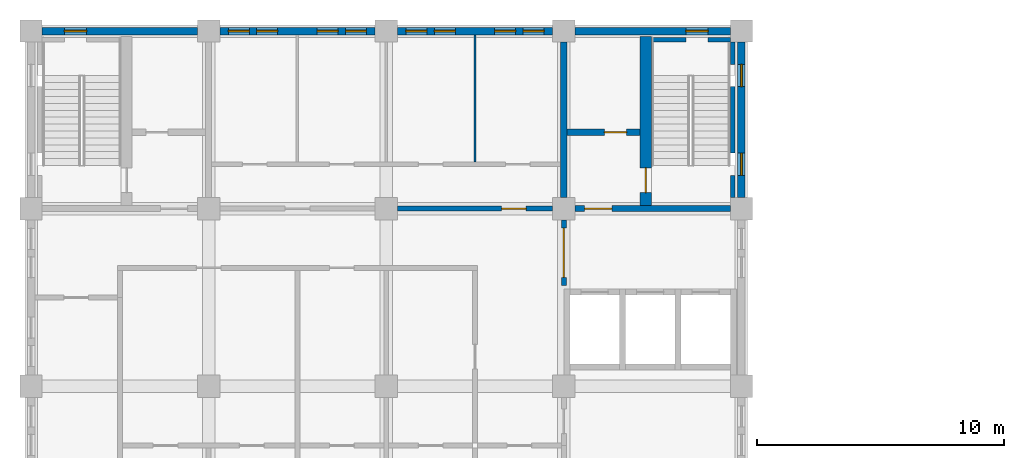
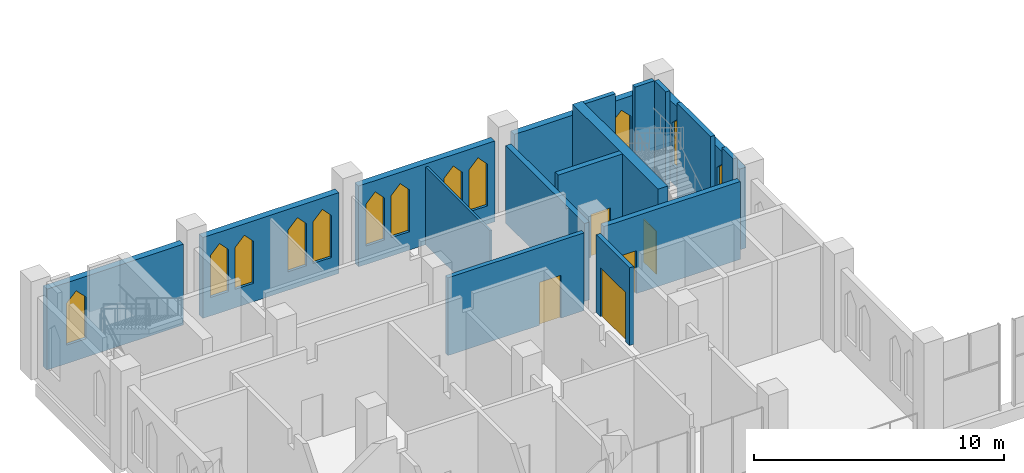
# One storey, part 32 of 39: 17 walls, 12 windows, 5 doors, 17 openings.
"""IFC4 building model written with IfcOpenShell, lengths in metres."""

from ifc_helpers import new_model, si_unit, direction, frame, frame_2d, origin, place, context, subcontext, project, spatial, polyline, rectangle, outline, extrude, material, layer, layer_set, type_object, element, fill, save


model = new_model("IFC4")

# Units and contexts
model_context = context("Model", 3, precision=1e-05, world=origin(), true_north=direction((0.0, 1.0)))
body_context = subcontext(model_context, "Body", "Model", "MODEL_VIEW")
ifc_project = project(units=[si_unit("LENGTHUNIT", "METRE"), si_unit("AREAUNIT", "SQUARE_METRE"), si_unit("VOLUMEUNIT", "CUBIC_METRE"), si_unit("PLANEANGLEUNIT", "RADIAN"), si_unit("MASSUNIT", "GRAM", prefix="KILO")], contexts=[model_context])

# Site, building, storey
site_placement = place(None, origin())
site = spatial("IfcSite", under=ifc_project, at=site_placement, CompositionType="ELEMENT")
building_placement = place(site_placement, origin())
building = spatial("IfcBuilding", under=site, at=building_placement, Name="Silangan Lancet Faculty of Sciences", CompositionType="ELEMENT")
storey_placement = place(building_placement, frame((0.0, 0.0, 26.39990234375)))
storey = spatial("IfcBuildingStorey", under=building, at=storey_placement, Name="L05", CompositionType="ELEMENT", Elevation=26.39990234375)

# Wall, openings, windows
ifc_material_1 = material(Name="Concrete C40/50 precast", Category="concrete")
ifc_layer_1 = layer(ifc_material_1, 0.300048828125)
ifc_layer_set_1 = layer_set([ifc_layer_1], Name="Concrete C40/50 precast")
wall_type_1 = type_object("IfcWallType", Name="EW1 Precast cladding wall", PredefinedType="STANDARD", material=ifc_layer_set_1)
wall_1_placement = place(storey_placement, frame((21.14990234375, 57.60009765625, 0.0), z_axis=(0.0, 0.0, 1.0), x_axis=(-1.0, 0.0, 0.0)))
wall_1 = element("IfcWall", 1, at=wall_1_placement, inside=storey, type_object=wall_type_1, Name="EW-L05-N-NT-01", PredefinedType="STANDARD", context=body_context, shape_type="SweptSolid", body=[
    extrude(rectangle(XDim=6.2998046875, YDim=0.300048828125, at=frame_2d((3.14990234375, 0.0))), origin(), (0.0, 0.0, 1.0), 3.9501953125),
])
opening_1_placement = place(wall_1_placement, frame((0.35009765625, 0.0, 0.89990234375)))
opening_1 = element("IfcOpeningElement", 2, at=opening_1_placement, cuts=wall_1, Name="Opening W14", PredefinedType="OPENING", context=body_context, shape_type="SweptSolid", body=[
    extrude(outline(polyline([(0.0, 0.0), (0.85009765625, 0.0), (0.85009765625, 2.050048828125), (0.425048828125, 2.5), (0.0, 2.050048828125), (0.0, 0.0)])), frame((0.0, 0.159912109375, 0.0), z_axis=(0.0, -1.0, 0.0), x_axis=(1.0, 0.0, 0.0)), (0.0, 0.0, 1.0), 0.320068359375),
])
opening_2_placement = place(wall_1_placement, frame((1.5, 0.0, 0.89990234375)))
opening_2 = element("IfcOpeningElement", 3, at=opening_2_placement, cuts=wall_1, Name="Opening W14", PredefinedType="OPENING", context=body_context, shape_type="SweptSolid", body=[
    extrude(outline(polyline([(0.0, 0.0), (0.85009765625, 0.0), (0.85009765625, 2.050048828125), (0.425048828125, 2.5), (0.0, 2.050048828125), (0.0, 0.0)])), frame((0.0, 0.159912109375, 0.0), z_axis=(0.0, -1.0, 0.0), x_axis=(1.0, 0.0, 0.0)), (0.0, 0.0, 1.0), 0.320068359375),
])
opening_3_placement = place(wall_1_placement, frame((3.949951171875, 0.0, 0.89990234375)))
opening_3 = element("IfcOpeningElement", 4, at=opening_3_placement, cuts=wall_1, Name="Opening W14", PredefinedType="OPENING", context=body_context, shape_type="SweptSolid", body=[
    extrude(outline(polyline([(0.0, 0.0), (0.85009765625, 0.0), (0.85009765625, 2.050048828125), (0.425048828125, 2.5), (0.0, 2.050048828125), (0.0, 0.0)])), frame((0.0, 0.159912109375, 0.0), z_axis=(0.0, -1.0, 0.0), x_axis=(1.0, 0.0, 0.0)), (0.0, 0.0, 1.0), 0.320068359375),
])
opening_4_placement = place(wall_1_placement, frame((5.10009765625, 0.0, 0.89990234375)))
opening_4 = element("IfcOpeningElement", 5, at=opening_4_placement, cuts=wall_1, Name="Opening W14", PredefinedType="OPENING", context=body_context, shape_type="SweptSolid", body=[
    extrude(outline(polyline([(0.0, 0.0), (0.85009765625, 0.0), (0.85009765625, 2.050048828125), (0.425048828125, 2.5), (0.0, 2.050048828125), (0.0, 0.0)])), frame((0.0, 0.159912109375, 0.0), z_axis=(0.0, -1.0, 0.0), x_axis=(1.0, 0.0, 0.0)), (0.0, 0.0, 1.0), 0.320068359375),
])
ifc_material_2 = material(Name="Aluminium frame, laminated double glazing", Category="aluminium")
window_type_1 = type_object("IfcWindowType", Name="W14 Lancet window 850 x 2500", PartitioningType="SINGLE_PANEL", PredefinedType="WINDOW", material=ifc_material_2)
window_1_placement = place(opening_1_placement, origin())
window_1 = element("IfcWindow", 6, at=window_1_placement, inside=storey, type_object=window_type_1, Name="WIN-L05-N-NT-01a1", OverallHeight=2.5, OverallWidth=0.85009765625, PartitioningType="SINGLE_PANEL", PredefinedType="WINDOW", context=body_context, shape_type="SweptSolid", body=[
    extrude(outline(polyline([(0.0, 0.0), (0.85009765625, 0.0), (0.85009765625, 2.050048828125), (0.425048828125, 2.5), (0.0, 2.050048828125), (0.0, 0.0)])), frame((0.0, 0.030029296875, 0.0), z_axis=(0.0, -1.0, 0.0), x_axis=(1.0, 0.0, 0.0)), (0.0, 0.0, 1.0), 0.06005859375),
])
fill(opening_1, window_1)
window_2_placement = place(opening_2_placement, origin())
window_2 = element("IfcWindow", 7, at=window_2_placement, inside=storey, type_object=window_type_1, Name="WIN-L05-N-NT-01a2", OverallHeight=2.5, OverallWidth=0.85009765625, PartitioningType="SINGLE_PANEL", PredefinedType="WINDOW", context=body_context, shape_type="SweptSolid", body=[
    extrude(outline(polyline([(0.0, 0.0), (0.85009765625, 0.0), (0.85009765625, 2.050048828125), (0.425048828125, 2.5), (0.0, 2.050048828125), (0.0, 0.0)])), frame((0.0, 0.030029296875, 0.0), z_axis=(0.0, -1.0, 0.0), x_axis=(1.0, 0.0, 0.0)), (0.0, 0.0, 1.0), 0.06005859375),
])
fill(opening_2, window_2)
window_3_placement = place(opening_3_placement, origin())
window_3 = element("IfcWindow", 8, at=window_3_placement, inside=storey, type_object=window_type_1, Name="WIN-L05-N-NT-01b1", OverallHeight=2.5, OverallWidth=0.85009765625, PartitioningType="SINGLE_PANEL", PredefinedType="WINDOW", context=body_context, shape_type="SweptSolid", body=[
    extrude(outline(polyline([(0.0, 0.0), (0.85009765625, 0.0), (0.85009765625, 2.050048828125), (0.425048828125, 2.5), (0.0, 2.050048828125), (0.0, 0.0)])), frame((0.0, 0.030029296875, 0.0), z_axis=(0.0, -1.0, 0.0), x_axis=(1.0, 0.0, 0.0)), (0.0, 0.0, 1.0), 0.06005859375),
])
fill(opening_3, window_3)
window_4_placement = place(opening_4_placement, origin())
window_4 = element("IfcWindow", 9, at=window_4_placement, inside=storey, type_object=window_type_1, Name="WIN-L05-N-NT-01b2", OverallHeight=2.5, OverallWidth=0.85009765625, PartitioningType="SINGLE_PANEL", PredefinedType="WINDOW", context=body_context, shape_type="SweptSolid", body=[
    extrude(outline(polyline([(0.0, 0.0), (0.85009765625, 0.0), (0.85009765625, 2.050048828125), (0.425048828125, 2.5), (0.0, 2.050048828125), (0.0, 0.0)])), frame((0.0, 0.030029296875, 0.0), z_axis=(0.0, -1.0, 0.0), x_axis=(1.0, 0.0, 0.0)), (0.0, 0.0, 1.0), 0.06005859375),
])
fill(opening_4, window_4)

wall_2_placement = place(storey_placement, frame((13.949951171875, 57.60009765625, 0.0), z_axis=(0.0, 0.0, 1.0), x_axis=(-1.0, 0.0, 0.0)))
wall_2 = element("IfcWall", 10, at=wall_2_placement, inside=storey, type_object=wall_type_1, Name="EW-L05-N-NT-02", PredefinedType="STANDARD", context=body_context, shape_type="SweptSolid", body=[
    extrude(rectangle(XDim=6.300048828125, YDim=0.300048828125, at=frame_2d((3.14990234375, 0.0))), origin(), (0.0, 0.0, 1.0), 3.9501953125),
])
opening_5_placement = place(wall_2_placement, frame((0.35009765625, 0.0, 0.89990234375)))
opening_5 = element("IfcOpeningElement", 11, at=opening_5_placement, cuts=wall_2, Name="Opening W14", PredefinedType="OPENING", context=body_context, shape_type="SweptSolid", body=[
    extrude(outline(polyline([(0.0, 0.0), (0.85009765625, 0.0), (0.85009765625, 2.050048828125), (0.425048828125, 2.5), (0.0, 2.050048828125), (0.0, 0.0)])), frame((0.0, 0.159912109375, 0.0), z_axis=(0.0, -1.0, 0.0), x_axis=(1.0, 0.0, 0.0)), (0.0, 0.0, 1.0), 0.320068359375),
])
opening_6_placement = place(wall_2_placement, frame((1.5, 0.0, 0.89990234375)))
opening_6 = element("IfcOpeningElement", 12, at=opening_6_placement, cuts=wall_2, Name="Opening W14", PredefinedType="OPENING", context=body_context, shape_type="SweptSolid", body=[
    extrude(outline(polyline([(0.0, 0.0), (0.85009765625, 0.0), (0.85009765625, 2.050048828125), (0.425048828125, 2.5), (0.0, 2.050048828125), (0.0, 0.0)])), frame((0.0, 0.159912109375, 0.0), z_axis=(0.0, -1.0, 0.0), x_axis=(1.0, 0.0, 0.0)), (0.0, 0.0, 1.0), 0.320068359375),
])
opening_7_placement = place(wall_2_placement, frame((3.949951171875, 0.0, 0.89990234375)))
opening_7 = element("IfcOpeningElement", 13, at=opening_7_placement, cuts=wall_2, Name="Opening W14", PredefinedType="OPENING", context=body_context, shape_type="SweptSolid", body=[
    extrude(outline(polyline([(0.0, 0.0), (0.85009765625, 0.0), (0.85009765625, 2.050048828125), (0.425048828125, 2.5), (0.0, 2.050048828125), (0.0, 0.0)])), frame((0.0, 0.159912109375, 0.0), z_axis=(0.0, -1.0, 0.0), x_axis=(1.0, 0.0, 0.0)), (0.0, 0.0, 1.0), 0.320068359375),
])
opening_8_placement = place(wall_2_placement, frame((5.10009765625, 0.0, 0.89990234375)))
opening_8 = element("IfcOpeningElement", 14, at=opening_8_placement, cuts=wall_2, Name="Opening W14", PredefinedType="OPENING", context=body_context, shape_type="SweptSolid", body=[
    extrude(outline(polyline([(0.0, 0.0), (0.85009765625, 0.0), (0.85009765625, 2.050048828125), (0.425048828125, 2.5), (0.0, 2.050048828125), (0.0, 0.0)])), frame((0.0, 0.159912109375, 0.0), z_axis=(0.0, -1.0, 0.0), x_axis=(1.0, 0.0, 0.0)), (0.0, 0.0, 1.0), 0.320068359375),
])
window_5_placement = place(opening_5_placement, origin())
window_5 = element("IfcWindow", 15, at=window_5_placement, inside=storey, type_object=window_type_1, Name="WIN-L05-N-NT-02a1", OverallHeight=2.5, OverallWidth=0.85009765625, PartitioningType="SINGLE_PANEL", PredefinedType="WINDOW", context=body_context, shape_type="SweptSolid", body=[
    extrude(outline(polyline([(0.0, 0.0), (0.85009765625, 0.0), (0.85009765625, 2.050048828125), (0.425048828125, 2.5), (0.0, 2.050048828125), (0.0, 0.0)])), frame((0.0, 0.030029296875, 0.0), z_axis=(0.0, -1.0, 0.0), x_axis=(1.0, 0.0, 0.0)), (0.0, 0.0, 1.0), 0.06005859375),
])
fill(opening_5, window_5)
window_6_placement = place(opening_6_placement, origin())
window_6 = element("IfcWindow", 16, at=window_6_placement, inside=storey, type_object=window_type_1, Name="WIN-L05-N-NT-02a2", OverallHeight=2.5, OverallWidth=0.85009765625, PartitioningType="SINGLE_PANEL", PredefinedType="WINDOW", context=body_context, shape_type="SweptSolid", body=[
    extrude(outline(polyline([(0.0, 0.0), (0.85009765625, 0.0), (0.85009765625, 2.050048828125), (0.425048828125, 2.5), (0.0, 2.050048828125), (0.0, 0.0)])), frame((0.0, 0.030029296875, 0.0), z_axis=(0.0, -1.0, 0.0), x_axis=(1.0, 0.0, 0.0)), (0.0, 0.0, 1.0), 0.06005859375),
])
fill(opening_6, window_6)
window_7_placement = place(opening_7_placement, origin())
window_7 = element("IfcWindow", 17, at=window_7_placement, inside=storey, type_object=window_type_1, Name="WIN-L05-N-NT-02b1", OverallHeight=2.5, OverallWidth=0.85009765625, PartitioningType="SINGLE_PANEL", PredefinedType="WINDOW", context=body_context, shape_type="SweptSolid", body=[
    extrude(outline(polyline([(0.0, 0.0), (0.85009765625, 0.0), (0.85009765625, 2.050048828125), (0.425048828125, 2.5), (0.0, 2.050048828125), (0.0, 0.0)])), frame((0.0, 0.030029296875, 0.0), z_axis=(0.0, -1.0, 0.0), x_axis=(1.0, 0.0, 0.0)), (0.0, 0.0, 1.0), 0.06005859375),
])
fill(opening_7, window_7)
window_8_placement = place(opening_8_placement, origin())
window_8 = element("IfcWindow", 18, at=window_8_placement, inside=storey, type_object=window_type_1, Name="WIN-L05-N-NT-02b2", OverallHeight=2.5, OverallWidth=0.85009765625, PartitioningType="SINGLE_PANEL", PredefinedType="WINDOW", context=body_context, shape_type="SweptSolid", body=[
    extrude(outline(polyline([(0.0, 0.0), (0.85009765625, 0.0), (0.85009765625, 2.050048828125), (0.425048828125, 2.5), (0.0, 2.050048828125), (0.0, 0.0)])), frame((0.0, 0.030029296875, 0.0), z_axis=(0.0, -1.0, 0.0), x_axis=(1.0, 0.0, 0.0)), (0.0, 0.0, 1.0), 0.06005859375),
])
fill(opening_8, window_8)

# Wall, opening, window
ifc_material_3 = material(Name="Concrete C40/50 precast", Category="concrete")
ifc_layer_2 = layer(ifc_material_3, 0.300048828125)
ifc_layer_set_2 = layer_set([ifc_layer_2], Name="Concrete C40/50 precast")
wall_type_2 = type_object("IfcWallType", Name="EW2 Turret enclosure wall", PredefinedType="STANDARD", material=ifc_layer_set_2)
wall_3_placement = place(storey_placement, frame((28.35009765625, 57.60009765625, 0.0), z_axis=(0.0, 0.0, 1.0), x_axis=(-1.0, 0.0, 0.0)))
wall_3 = element("IfcWall", 19, at=wall_3_placement, inside=storey, type_object=wall_type_2, Name="EW-L05-N-NT-00", PredefinedType="STANDARD", context=body_context, shape_type="SweptSolid", body=[
    extrude(rectangle(XDim=6.300048828125, YDim=0.300048828125, at=frame_2d((3.14990234375, 0.0))), origin(), (0.0, 0.0, 1.0), 3.9501953125),
])
opening_9_placement = place(wall_3_placement, frame((0.89990234375, 0.0, 0.89990234375)))
opening_9 = element("IfcOpeningElement", 20, at=opening_9_placement, cuts=wall_3, Name="Opening W11", PredefinedType="OPENING", context=body_context, shape_type="SweptSolid", body=[
    extrude(outline(polyline([(0.0, 0.0), (0.89990234375, 0.0), (0.89990234375, 2.050048828125), (0.449951171875, 2.5), (0.0, 2.050048828125), (0.0, 0.0)])), frame((0.0, 0.159912109375, 0.0), z_axis=(0.0, -1.0, 0.0), x_axis=(1.0, 0.0, 0.0)), (0.0, 0.0, 1.0), 0.320068359375),
])
ifc_material_4 = material(Name="Aluminium frame, laminated double glazing", Category="aluminium")
window_type_2 = type_object("IfcWindowType", Name="W11 Lancet window 900 x 2500", PartitioningType="SINGLE_PANEL", PredefinedType="WINDOW", material=ifc_material_4)
window_9_placement = place(opening_9_placement, origin())
window_9 = element("IfcWindow", 21, at=window_9_placement, inside=storey, type_object=window_type_2, Name="WIN-L05-N-NT-00a", OverallHeight=2.5, OverallWidth=0.89990234375, PartitioningType="SINGLE_PANEL", PredefinedType="WINDOW", context=body_context, shape_type="SweptSolid", body=[
    extrude(outline(polyline([(0.0, 0.0), (0.89990234375, 0.0), (0.89990234375, 2.050048828125), (0.449951171875, 2.5), (0.0, 2.050048828125), (0.0, 0.0)])), frame((0.0, 0.030029296875, 0.0), z_axis=(0.0, -1.0, 0.0), x_axis=(1.0, 0.0, 0.0)), (0.0, 0.0, 1.0), 0.06005859375),
])
fill(opening_9, window_9)

wall_4_placement = place(storey_placement, frame((6.75, 57.60009765625, 0.0), z_axis=(0.0, 0.0, 1.0), x_axis=(-1.0, 0.0, 0.0)))
wall_4 = element("IfcWall", 22, at=wall_4_placement, inside=storey, type_object=wall_type_2, Name="EW-L05-N-NT-03", PredefinedType="STANDARD", context=body_context, shape_type="SweptSolid", body=[
    extrude(rectangle(XDim=6.300048828125, YDim=0.300048828125, at=frame_2d((3.14990234375, 0.0))), origin(), (0.0, 0.0, 1.0), 3.9501953125),
])
opening_10_placement = place(wall_4_placement, frame((4.5, 0.0, 0.89990234375)))
opening_10 = element("IfcOpeningElement", 23, at=opening_10_placement, cuts=wall_4, Name="Opening W11", PredefinedType="OPENING", context=body_context, shape_type="SweptSolid", body=[
    extrude(outline(polyline([(0.0, 0.0), (0.89990234375, 0.0), (0.89990234375, 2.050048828125), (0.449951171875, 2.5), (0.0, 2.050048828125), (0.0, 0.0)])), frame((0.0, 0.159912109375, 0.0), z_axis=(0.0, -1.0, 0.0), x_axis=(1.0, 0.0, 0.0)), (0.0, 0.0, 1.0), 0.320068359375),
])
window_10_placement = place(opening_10_placement, origin())
window_10 = element("IfcWindow", 24, at=window_10_placement, inside=storey, type_object=window_type_2, Name="WIN-L05-N-NT-03b", OverallHeight=2.5, OverallWidth=0.89990234375, PartitioningType="SINGLE_PANEL", PredefinedType="WINDOW", context=body_context, shape_type="SweptSolid", body=[
    extrude(outline(polyline([(0.0, 0.0), (0.89990234375, 0.0), (0.89990234375, 2.050048828125), (0.449951171875, 2.5), (0.0, 2.050048828125), (0.0, 0.0)])), frame((0.0, 0.030029296875, 0.0), z_axis=(0.0, -1.0, 0.0), x_axis=(1.0, 0.0, 0.0)), (0.0, 0.0, 1.0), 0.06005859375),
])
fill(opening_10, window_10)

# Wall, openings, windows
wall_5_placement = place(storey_placement, frame((28.800048828125, 50.85009765625, 0.0), z_axis=(0.0, 0.0, 1.0), x_axis=(0.0, 1.0, 0.0)))
wall_5 = element("IfcWall", 25, at=wall_5_placement, inside=storey, type_object=wall_type_2, Name="EW-L05-E-NT-02", PredefinedType="STANDARD", context=body_context, shape_type="SweptSolid", body=[
    extrude(rectangle(XDim=6.2998046875, YDim=0.300048828125, at=frame_2d((3.14990234375, 0.0))), origin(), (0.0, 0.0, 1.0), 3.9501953125),
])
opening_11_placement = place(wall_5_placement, frame((0.89990234375, 0.0, 0.89990234375)))
opening_11 = element("IfcOpeningElement", 26, at=opening_11_placement, cuts=wall_5, Name="Opening W11", PredefinedType="OPENING", context=body_context, shape_type="SweptSolid", body=[
    extrude(outline(polyline([(0.0, 0.0), (0.89990234375, 0.0), (0.89990234375, 2.050048828125), (0.449951171875, 2.5), (0.0, 2.050048828125), (0.0, 0.0)])), frame((0.0, 0.159912109375, 0.0), z_axis=(0.0, -1.0, 0.0), x_axis=(1.0, 0.0, 0.0)), (0.0, 0.0, 1.0), 0.320068359375),
])
opening_12_placement = place(wall_5_placement, frame((4.5, 0.0, 0.89990234375)))
opening_12 = element("IfcOpeningElement", 27, at=opening_12_placement, cuts=wall_5, Name="Opening W11", PredefinedType="OPENING", context=body_context, shape_type="SweptSolid", body=[
    extrude(outline(polyline([(0.0, 0.0), (0.89990234375, 0.0), (0.89990234375, 2.050048828125), (0.449951171875, 2.5), (0.0, 2.050048828125), (0.0, 0.0)])), frame((0.0, 0.159912109375, 0.0), z_axis=(0.0, -1.0, 0.0), x_axis=(1.0, 0.0, 0.0)), (0.0, 0.0, 1.0), 0.320068359375),
])
window_11_placement = place(opening_11_placement, origin())
window_11 = element("IfcWindow", 28, at=window_11_placement, inside=storey, type_object=window_type_2, Name="WIN-L05-E-NT-02a", OverallHeight=2.5, OverallWidth=0.89990234375, PartitioningType="SINGLE_PANEL", PredefinedType="WINDOW", context=body_context, shape_type="SweptSolid", body=[
    extrude(outline(polyline([(0.0, 0.0), (0.89990234375, 0.0), (0.89990234375, 2.050048828125), (0.449951171875, 2.5), (0.0, 2.050048828125), (0.0, 0.0)])), frame((0.0, 0.030029296875, 0.0), z_axis=(0.0, -1.0, 0.0), x_axis=(1.0, 0.0, 0.0)), (0.0, 0.0, 1.0), 0.06005859375),
])
fill(opening_11, window_11)
window_12_placement = place(opening_12_placement, origin())
window_12 = element("IfcWindow", 29, at=window_12_placement, inside=storey, type_object=window_type_2, Name="WIN-L05-E-NT-02b", OverallHeight=2.5, OverallWidth=0.89990234375, PartitioningType="SINGLE_PANEL", PredefinedType="WINDOW", context=body_context, shape_type="SweptSolid", body=[
    extrude(outline(polyline([(0.0, 0.0), (0.89990234375, 0.0), (0.89990234375, 2.050048828125), (0.449951171875, 2.5), (0.0, 2.050048828125), (0.0, 0.0)])), frame((0.0, 0.030029296875, 0.0), z_axis=(0.0, -1.0, 0.0), x_axis=(1.0, 0.0, 0.0)), (0.0, 0.0, 1.0), 0.06005859375),
])
fill(opening_12, window_12)

# Wall, opening, door
ifc_material_5 = material(Name="Hollow block masonry fm 7 MPa", Category="masonry")
ifc_layer_3 = layer(ifc_material_5, 0.199951171875)
ifc_layer_set_3 = layer_set([ifc_layer_3], Name="Hollow block masonry fm 7 MPa")
wall_type_3 = type_object("IfcWallType", Name="Interior wall PW1 Corridor wall CHB 200", PredefinedType="PARTITIONING", material=ifc_layer_set_3)
wall_6_placement = place(storey_placement, frame((14.85009765625, 50.39990234375, 0.0), z_axis=(0.0, 0.0, 1.0), x_axis=(1.0, 0.0, 0.0)))
wall_6 = element("IfcWall", 30, at=wall_6_placement, inside=storey, type_object=wall_type_3, Name="Corridor wall CHB 200", PredefinedType="PARTITIONING", context=body_context, shape_type="SweptSolid", body=[
    extrude(rectangle(XDim=6.2998046875, YDim=0.199951171875, at=frame_2d((3.14990234375, 0.0))), origin(), (0.0, 0.0, 1.0), 3.800048828125),
])
opening_13_placement = place(wall_6_placement, frame((4.224853515625, 0.0, 0.0)))
opening_13 = element("IfcOpeningElement", 31, at=opening_13_placement, cuts=wall_6, Name="Opening L05-006", PredefinedType="OPENING", context=body_context, shape_type="SweptSolid", body=[
    extrude(rectangle(XDim=1.0, YDim=2.10009765625, at=frame_2d((0.5, 1.050048828125))), frame((0.0, 0.10986328125, 0.0), z_axis=(0.0, -1.0, 0.0), x_axis=(1.0, 0.0, 0.0)), (0.0, 0.0, 1.0), 0.219970703125),
])
ifc_material_6 = material(Name="Steel fire door set", Category="steel")
door_type_1 = type_object("IfcDoorType", Name="Door D1 Single leaf fire door 1000 x 2100", OperationType="SINGLE_SWING_LEFT", PredefinedType="DOOR", material=ifc_material_6)
door_1_placement = place(opening_13_placement, origin())
door_1 = element("IfcDoor", 32, at=door_1_placement, inside=storey, type_object=door_type_1, Name="Single leaf fire door 1000 x 2100", OperationType="SINGLE_SWING_LEFT", OverallHeight=2.10009765625, OverallWidth=1.0, PredefinedType="DOOR", context=body_context, shape_type="SweptSolid", body=[
    extrude(rectangle(XDim=1.0, YDim=2.10009765625, at=frame_2d((0.5, 1.050048828125))), frame((0.0, 0.02490234375, 0.0), z_axis=(0.0, -1.0, 0.0), x_axis=(1.0, 0.0, 0.0)), (0.0, 0.0, 1.0), 0.050048828125),
])
fill(opening_13, door_1)

# Wall
ifc_material_7 = material(Name="Hollow block masonry fm 7 MPa", Category="masonry")
ifc_layer_4 = layer(ifc_material_7, 0.10009765625)
ifc_layer_set_4 = layer_set([ifc_layer_4], Name="Hollow block masonry fm 7 MPa")
wall_type_4 = type_object("IfcWallType", Name="Interior wall PW8 WC partition CHB 100", PredefinedType="PARTITIONING", material=ifc_layer_set_4)
wall_7_placement = place(storey_placement, frame((18.0, 52.300048828125, 0.0), z_axis=(0.0, 0.0, 1.0), x_axis=(0.0, 1.0, 0.0)))
element("IfcWall", 33, at=wall_7_placement, inside=storey, type_object=wall_type_4, Name="WC partition CHB 100", PredefinedType="PARTITIONING", context=body_context, shape_type="SweptSolid", body=[
    extrude(rectangle(XDim=5.14990234375, YDim=0.10009765625, at=frame_2d((2.574951171875, 0.0))), origin(), (0.0, 0.0, 1.0), 3.800048828125),
])

# Wall, opening, door
ifc_material_8 = material(Name="Hollow block masonry fm 7 MPa", Category="masonry")
ifc_layer_5 = layer(ifc_material_8, 0.199951171875)
ifc_layer_set_5 = layer_set([ifc_layer_5], Name="Hollow block masonry fm 7 MPa")
wall_type_5 = type_object("IfcWallType", Name="Interior wall PW9 Lift lobby wall CHB 200", PredefinedType="PARTITIONING", material=ifc_layer_set_5)
wall_8_placement = place(storey_placement, frame((21.60009765625, 47.27490234375, 0.0), z_axis=(0.0, 0.0, 1.0), x_axis=(0.0, 1.0, 0.0)))
wall_8 = element("IfcWall", 34, at=wall_8_placement, inside=storey, type_object=wall_type_5, Name="Lift lobby wall CHB 200", PredefinedType="PARTITIONING", context=body_context, shape_type="SweptSolid", body=[
    extrude(rectangle(XDim=2.675048828125, YDim=0.199951171875, at=frame_2d((1.33740234375, 0.0))), origin(), (0.0, 0.0, 1.0), 3.800048828125),
])
opening_14_placement = place(wall_8_placement, frame((0.33740234375, 0.0, 0.0)))
opening_14 = element("IfcOpeningElement", 35, at=opening_14_placement, cuts=wall_8, Name="Opening L05-004", PredefinedType="OPENING", context=body_context, shape_type="SweptSolid", body=[
    extrude(rectangle(XDim=2.0, YDim=2.39990234375, at=frame_2d((1.0, 1.199951171875))), frame((0.0, 0.10986328125, 0.0), z_axis=(0.0, -1.0, 0.0), x_axis=(1.0, 0.0, 0.0)), (0.0, 0.0, 1.0), 0.219970703125),
])
ifc_material_9 = material(Name="Steel fire door set", Category="steel")
door_type_2 = type_object("IfcDoorType", Name="Door D5 Lift lobby double fire door 2000 x 2400", OperationType="DOUBLE_DOOR_SINGLE_SWING", PredefinedType="DOOR", material=ifc_material_9)
door_2_placement = place(opening_14_placement, origin())
door_2 = element("IfcDoor", 36, at=door_2_placement, inside=storey, type_object=door_type_2, Name="Lift lobby double fire door 2000 x 2400", OperationType="DOUBLE_DOOR_SINGLE_SWING", OverallHeight=2.39990234375, OverallWidth=2.0, PredefinedType="DOOR", context=body_context, shape_type="SweptSolid", body=[
    extrude(rectangle(XDim=2.0, YDim=2.39990234375, at=frame_2d((1.0, 1.199951171875))), frame((0.0, 0.02490234375, 0.0), z_axis=(0.0, -1.0, 0.0), x_axis=(1.0, 0.0, 0.0)), (0.0, 0.0, 1.0), 0.050048828125),
])
fill(opening_14, door_2)

ifc_material_10 = material(Name="Concrete C40/50", Category="concrete")
ifc_layer_6 = layer(ifc_material_10, 0.449951171875)
ifc_layer_set_6 = layer_set([ifc_layer_6], Name="Concrete C40/50")
wall_type_6 = type_object("IfcWallType", Name="TURRET CORE WALL RC 450", PredefinedType="SHEAR", material=ifc_layer_set_6)
wall_9_placement = place(storey_placement, frame((24.925048828125, 50.52490234375, 0.0), z_axis=(0.0, 0.0, 1.0), x_axis=(0.0, 1.0, 0.0)))
wall_9 = element("IfcWall", 37, at=wall_9_placement, inside=storey, type_object=wall_type_6, Name="WALL-L05-NT-B-WELL", PredefinedType="SHEAR", context=body_context, shape_type="SweptSolid", body=[
    extrude(rectangle(XDim=6.85009765625, YDim=0.449951171875, at=frame_2d((3.425048828125, 0.0))), origin(), (0.0, 0.0, 1.0), 4.550048828125),
])
opening_15_placement = place(wall_9_placement, frame((0.52490234375, 0.0, 0.0)))
opening_15 = element("IfcOpeningElement", 38, at=opening_15_placement, cuts=wall_9, Name="Opening L05-710", PredefinedType="OPENING", context=body_context, shape_type="SweptSolid", body=[
    extrude(rectangle(XDim=1.0, YDim=2.10009765625, at=frame_2d((0.5, 1.050048828125))), frame((0.0, 0.23486328125, 0.0), z_axis=(0.0, -1.0, 0.0), x_axis=(1.0, 0.0, 0.0)), (0.0, 0.0, 1.0), 0.469970703125),
])
ifc_material_11 = material(Name="Steel fire door set", Category="steel")
door_type_3 = type_object("IfcDoorType", Name="D71 Stair enclosure door 1000x2100", OperationType="SINGLE_SWING_LEFT", PredefinedType="DOOR", material=ifc_material_11)
door_3_placement = place(opening_15_placement, frame((1.0, 0.0, 0.0), z_axis=(0.0, 0.0, 1.0), x_axis=(-1.0, 0.0, 0.0)))
door_3 = element("IfcDoor", 39, at=door_3_placement, inside=storey, type_object=door_type_3, Name="Stair enclosure door NT-B L05", OperationType="SINGLE_SWING_RIGHT", OverallHeight=2.10009765625, OverallWidth=1.0, PredefinedType="DOOR", context=body_context, shape_type="SweptSolid", body=[
    extrude(rectangle(XDim=1.0, YDim=2.10009765625, at=frame_2d((0.5, 1.050048828125))), frame((0.0, 0.025146484375, 0.0), z_axis=(0.0, -1.0, 0.0), x_axis=(1.0, 0.0, 0.0)), (0.0, 0.0, 1.0), 0.050048828125),
])
fill(opening_15, door_3)

# Walls
ifc_material_12 = material(Name="Concrete C40/50", Category="concrete")
ifc_layer_7 = layer(ifc_material_12, 0.199951171875)
ifc_layer_set_7 = layer_set([ifc_layer_7], Name="Concrete C40/50")
wall_type_7 = type_object("IfcWallType", Name="TURRET LINING WALL RC 200", PredefinedType="SHEAR", material=ifc_layer_set_7)
wall_10_placement = place(storey_placement, frame((28.449951171875, 50.85009765625, -0.25), z_axis=(0.0, 0.0, 1.0), x_axis=(0.0, 1.0, 0.0)))
element("IfcWall", 40, at=wall_10_placement, inside=storey, type_object=wall_type_7, Name="WALL-L05-NT-B-WL", PredefinedType="SHEAR", context=body_context, shape_type="SweptSolid", body=[
    extrude(rectangle(XDim=0.89990234375, YDim=0.199951171875, at=frame_2d((0.449951171875, 0.0))), origin(), (0.0, 0.0, 1.0), 4.800048828125),
])
wall_11_placement = place(storey_placement, frame((28.449951171875, 52.64990234375, -0.25), z_axis=(0.0, 0.0, 1.0), x_axis=(0.0, 1.0, 0.0)))
element("IfcWall", 41, at=wall_11_placement, inside=storey, type_object=wall_type_7, Name="WALL-L05-NT-B-WL-2", PredefinedType="SHEAR", context=body_context, shape_type="SweptSolid", body=[
    extrude(rectangle(XDim=2.7001953125, YDim=0.199951171875, at=frame_2d((1.35009765625, 0.0))), origin(), (0.0, 0.0, 1.0), 4.800048828125),
])
wall_12_placement = place(storey_placement, frame((28.449951171875, 56.25, -0.25), z_axis=(0.0, 0.0, 1.0), x_axis=(0.0, 1.0, 0.0)))
element("IfcWall", 42, at=wall_12_placement, inside=storey, type_object=wall_type_7, Name="WALL-L05-NT-B-WL-3", PredefinedType="SHEAR", context=body_context, shape_type="SweptSolid", body=[
    extrude(rectangle(XDim=0.89990234375, YDim=0.199951171875, at=frame_2d((0.449951171875, 0.0))), origin(), (0.0, 0.0, 1.0), 4.800048828125),
])
wall_13_placement = place(storey_placement, frame((25.14990234375, 57.25, -0.25), z_axis=(0.0, 0.0, 1.0), x_axis=(1.0, 0.0, 0.0)))
element("IfcWall", 43, at=wall_13_placement, inside=storey, type_object=wall_type_7, Name="WALL-L05-NT-B-WLD", PredefinedType="SHEAR", context=body_context, shape_type="SweptSolid", body=[
    extrude(rectangle(XDim=1.400146484375, YDim=0.199951171875, at=frame_2d((0.7001953125, 0.0))), origin(), (0.0, 0.0, 1.0), 4.800048828125),
])
wall_14_placement = place(storey_placement, frame((27.449951171875, 57.25, -0.25), z_axis=(0.0, 0.0, 1.0), x_axis=(1.0, 0.0, 0.0)))
element("IfcWall", 44, at=wall_14_placement, inside=storey, type_object=wall_type_7, Name="WALL-L05-NT-B-WLD-2", PredefinedType="SHEAR", context=body_context, shape_type="SweptSolid", body=[
    extrude(rectangle(XDim=0.900146484375, YDim=0.199951171875, at=frame_2d((0.4501953125, 0.0))), origin(), (0.0, 0.0, 1.0), 4.800048828125),
])

# Wall, opening, door
ifc_material_13 = material(Name="Concrete C40/50", Category="concrete")
ifc_layer_8 = layer(ifc_material_13, 0.25)
ifc_layer_set_8 = layer_set([ifc_layer_8], Name="Concrete C40/50")
wall_type_8 = type_object("IfcWallType", Name="TURRET WALL RC 250", PredefinedType="SHEAR", material=ifc_layer_set_8)
wall_15_placement = place(storey_placement, frame((22.050048828125, 50.39990234375, 0.0), z_axis=(0.0, 0.0, 1.0), x_axis=(1.0, 0.0, 0.0)))
wall_15 = element("IfcWall", 45, at=wall_15_placement, inside=storey, type_object=wall_type_8, Name="WALL-L05-NT-B-V", PredefinedType="SHEAR", context=body_context, shape_type="SweptSolid", body=[
    extrude(rectangle(XDim=6.300048828125, YDim=0.25, at=frame_2d((3.14990234375, 0.0))), origin(), (0.0, 0.0, 1.0), 3.800048828125),
])
opening_16_placement = place(wall_15_placement, frame((0.39990234375, 0.0, 0.0)))
opening_16 = element("IfcOpeningElement", 46, at=opening_16_placement, cuts=wall_15, Name="Opening L05-711", PredefinedType="OPENING", context=body_context, shape_type="SweptSolid", body=[
    extrude(rectangle(XDim=1.10009765625, YDim=2.10009765625, at=frame_2d((0.550048828125, 1.050048828125))), frame((0.0, 0.135009765625, 0.0), z_axis=(0.0, -1.0, 0.0), x_axis=(1.0, 0.0, 0.0)), (0.0, 0.0, 1.0), 0.27001953125),
])
ifc_material_14 = material(Name="Steel fire door set", Category="steel")
door_type_4 = type_object("IfcDoorType", Name="D70 Stair vestibule door 1100x2100", OperationType="SINGLE_SWING_LEFT", PredefinedType="DOOR", material=ifc_material_14)
door_4_placement = place(opening_16_placement, origin())
door_4 = element("IfcDoor", 47, at=door_4_placement, inside=storey, type_object=door_type_4, Name="Stair vestibule door NT-B L05", OperationType="SINGLE_SWING_LEFT", OverallHeight=2.10009765625, OverallWidth=1.10009765625, PredefinedType="DOOR", context=body_context, shape_type="SweptSolid", body=[
    extrude(rectangle(XDim=1.10009765625, YDim=2.10009765625, at=frame_2d((0.550048828125, 1.050048828125))), frame((0.0, 0.02490234375, 0.0), z_axis=(0.0, -1.0, 0.0), x_axis=(1.0, 0.0, 0.0)), (0.0, 0.0, 1.0), 0.050048828125),
])
fill(opening_16, door_4)

# Wall
wall_16_placement = place(storey_placement, frame((21.60009765625, 50.85009765625, 0.0), z_axis=(0.0, 0.0, 1.0), x_axis=(0.0, 1.0, 0.0)))
element("IfcWall", 48, at=wall_16_placement, inside=storey, type_object=wall_type_8, Name="WALL-L05-NT-B-O", PredefinedType="SHEAR", context=body_context, shape_type="SweptSolid", body=[
    extrude(rectangle(XDim=6.2998046875, YDim=0.25, at=frame_2d((3.14990234375, 0.0))), origin(), (0.0, 0.0, 1.0), 3.800048828125),
])

# Wall, opening, door
wall_17_placement = place(storey_placement, frame((21.72509765625, 53.5, 0.0), z_axis=(0.0, 0.0, 1.0), x_axis=(1.0, 0.0, 0.0)))
wall_17 = element("IfcWall", 49, at=wall_17_placement, inside=storey, type_object=wall_type_8, Name="WALL-L05-NT-B-RISER", PredefinedType="SHEAR", context=body_context, shape_type="SweptSolid", body=[
    extrude(rectangle(XDim=2.974853515625, YDim=0.25, at=frame_2d((1.4873046875, 0.0))), origin(), (0.0, 0.0, 1.0), 4.550048828125),
])
opening_17_placement = place(wall_17_placement, frame((1.52490234375, 0.0, 0.0)))
opening_17 = element("IfcOpeningElement", 50, at=opening_17_placement, cuts=wall_17, Name="Opening L05-712", PredefinedType="OPENING", context=body_context, shape_type="SweptSolid", body=[
    extrude(rectangle(XDim=0.89990234375, YDim=2.10009765625, at=frame_2d((0.449951171875, 1.050048828125))), frame((0.0, 0.135009765625, 0.0), z_axis=(0.0, -1.0, 0.0), x_axis=(1.0, 0.0, 0.0)), (0.0, 0.0, 1.0), 0.27001953125),
])
ifc_material_15 = material(Name="Steel fire door set", Category="steel")
door_type_5 = type_object("IfcDoorType", Name="D72 Riser access door 900x2100", OperationType="SINGLE_SWING_LEFT", PredefinedType="DOOR", material=ifc_material_15)
door_5_placement = place(opening_17_placement, origin())
door_5 = element("IfcDoor", 51, at=door_5_placement, inside=storey, type_object=door_type_5, Name="Riser access door NT-B L05", OperationType="SINGLE_SWING_LEFT", OverallHeight=2.10009765625, OverallWidth=0.89990234375, PredefinedType="DOOR", context=body_context, shape_type="SweptSolid", body=[
    extrude(rectangle(XDim=0.89990234375, YDim=2.10009765625, at=frame_2d((0.449951171875, 1.050048828125))), frame((0.0, 0.02490234375, 0.0), z_axis=(0.0, -1.0, 0.0), x_axis=(1.0, 0.0, 0.0)), (0.0, 0.0, 1.0), 0.050048828125),
])
fill(opening_17, door_5)

save(model, "model.ifc")
